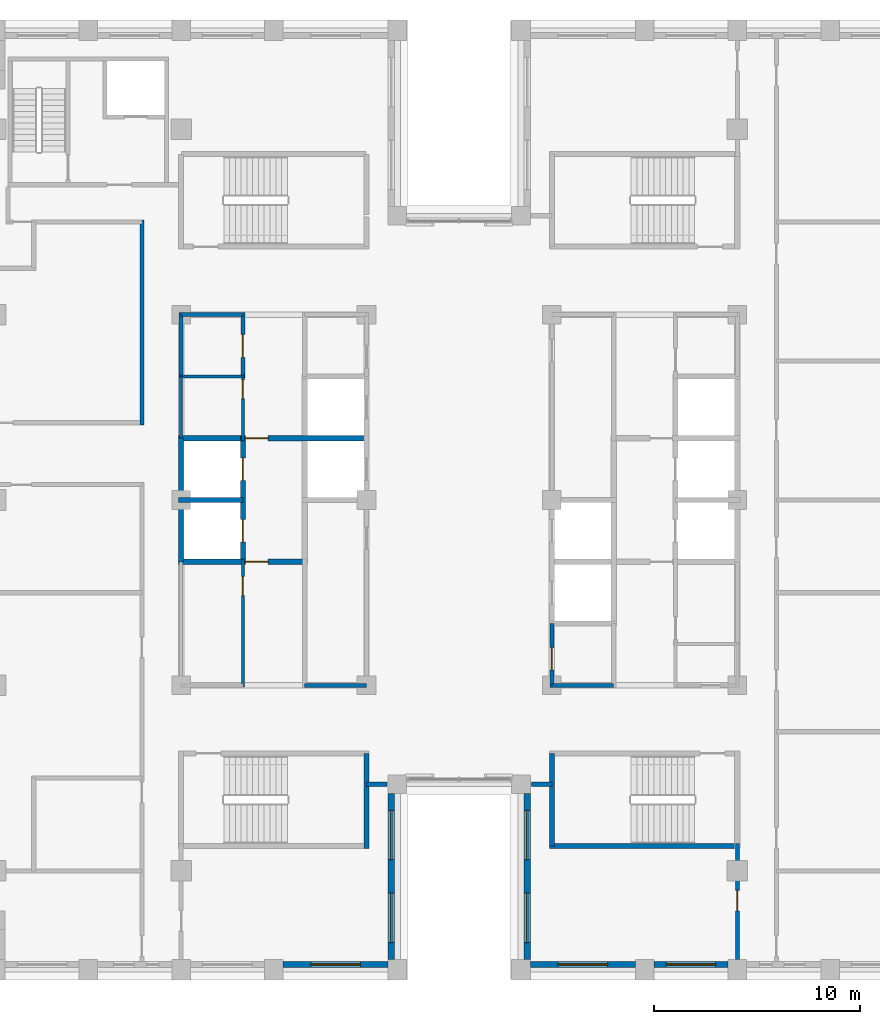
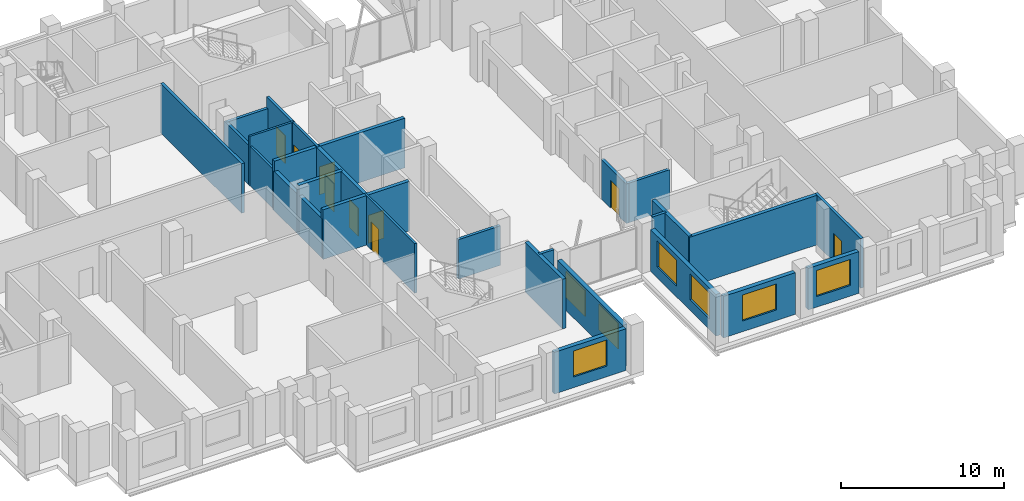
# One storey, part 7 of 15: 27 walls, 9 doors, 7 windows, 16 openings.
"""IFC4 building model written with IfcOpenShell, lengths in metres."""

from ifc_helpers import new_model, si_unit, direction, frame, frame_2d, origin, place, context, subcontext, project, spatial, rectangle, extrude, material, layer, layer_set, type_object, element, fill, save


model = new_model("IFC4")

# Units and contexts
model_context = context("Model", 3, precision=1e-05, world=origin(), true_north=direction((0.0, 1.0)))
body_context = subcontext(model_context, "Body", "Model", "MODEL_VIEW")
ifc_project = project(units=[si_unit("LENGTHUNIT", "METRE"), si_unit("AREAUNIT", "SQUARE_METRE"), si_unit("VOLUMEUNIT", "CUBIC_METRE"), si_unit("PLANEANGLEUNIT", "RADIAN"), si_unit("MASSUNIT", "GRAM", prefix="KILO")], contexts=[model_context])

# Site, building, storey
site_placement = place(None, origin())
site = spatial("IfcSite", under=ifc_project, at=site_placement, CompositionType="ELEMENT")
building_placement = place(site_placement, origin())
building = spatial("IfcBuilding", under=site, at=building_placement, Name="Corbelhall Arena Tower", CompositionType="ELEMENT")
storey_placement = place(building_placement, frame((0.0, 0.0, 228.0)))
storey = spatial("IfcBuildingStorey", under=building, at=storey_placement, Name="L48", CompositionType="ELEMENT", Elevation=228.0)

# Wall, opening, window
ifc_material_1 = material(Name="Precast concrete C40/50 with granite facing", Category="masonry")
ifc_layer_1 = layer(ifc_material_1, 0.300048828125)
ifc_layer_set_1 = layer_set([ifc_layer_1], Name="EV-IW1 Infill panel 300")
wall_type_1 = type_object("IfcWallType", Name="EV-IW1 Infill panel 300", PredefinedType="SOLIDWALL", material=ifc_layer_set_1)
wall_1_placement = place(storey_placement, frame((-8.550048828125, -22.550048828125, 0.0), z_axis=(0.0, 0.0, 1.0), x_axis=(1.0, 0.0, 0.0)))
wall_1 = element("IfcWall", 1, at=wall_1_placement, inside=storey, type_object=wall_type_1, Name="Infill panel IW1", PredefinedType="SOLIDWALL", context=body_context, shape_type="SweptSolid", body=[
    extrude(rectangle(XDim=5.10009765625, YDim=0.300048828125, at=frame_2d((2.550048828125, 0.0))), origin(), (0.0, 0.0, 1.0), 3.1201171875),
])
opening_1_placement = place(wall_1_placement, frame((1.35009765625, 0.0, 0.800048828125)))
opening_1 = element("IfcOpeningElement", 2, at=opening_1_placement, cuts=wall_1, Name="Opening WN1", PredefinedType="OPENING", context=body_context, shape_type="SweptSolid", body=[
    extrude(rectangle(XDim=2.39990234375, YDim=1.949951171875, at=frame_2d((1.199951171875, 0.97509765625))), frame((0.0, 0.14990234375, 0.0), z_axis=(0.0, -1.0, 0.0), x_axis=(1.0, 0.0, 0.0)), (0.0, 0.0, 1.0), 0.300048828125),
])
ifc_material_2 = material(Name="Aluminium black anodised", Category="aluminium")
window_type = type_object("IfcWindowType", Name="EV-WN1 Office window", PartitioningType="SINGLE_PANEL", PredefinedType="WINDOW", material=ifc_material_2)
window_1_placement = place(opening_1_placement, origin())
window_1 = element("IfcWindow", 3, at=window_1_placement, inside=storey, type_object=window_type, Name="Window WN1", OverallHeight=1.949951171875, OverallWidth=2.39990234375, PartitioningType="SINGLE_PANEL", PredefinedType="WINDOW", context=body_context, shape_type="SweptSolid", body=[
    extrude(rectangle(XDim=2.39990234375, YDim=1.949951171875, at=frame_2d((1.199951171875, 0.97509765625))), frame((0.0, 0.030029296875, 0.0), z_axis=(0.0, -1.0, 0.0), x_axis=(1.0, 0.0, 0.0)), (0.0, 0.0, 1.0), 0.06005859375),
])
fill(opening_1, window_1)

# Wall, openings, windows
wall_2_placement = place(storey_placement, frame((-3.300048828125, -22.300048828125, 0.0), z_axis=(0.0, 0.0, 1.0), x_axis=(0.0, 1.0, 0.0)))
wall_2 = element("IfcWall", 4, at=wall_2_placement, inside=storey, type_object=wall_type_1, Name="Infill panel IW1", PredefinedType="SOLIDWALL", context=body_context, shape_type="SweptSolid", body=[
    extrude(rectangle(XDim=8.050048828125, YDim=0.300048828125, at=frame_2d((4.02490234375, 0.0))), origin(), (0.0, 0.0, 1.0), 3.1201171875),
])
opening_2_placement = place(wall_2_placement, frame((0.8125, 0.0, 0.800048828125)))
opening_2 = element("IfcOpeningElement", 5, at=opening_2_placement, cuts=wall_2, Name="Opening WN1", PredefinedType="OPENING", context=body_context, shape_type="SweptSolid", body=[
    extrude(rectangle(XDim=2.39990234375, YDim=1.949951171875, at=frame_2d((1.199951171875, 0.97509765625))), frame((0.0, 0.14990234375, 0.0), z_axis=(0.0, -1.0, 0.0), x_axis=(1.0, 0.0, 0.0)), (0.0, 0.0, 1.0), 0.300048828125),
])
opening_3_placement = place(wall_2_placement, frame((4.83740234375, 0.0, 0.800048828125)))
opening_3 = element("IfcOpeningElement", 6, at=opening_3_placement, cuts=wall_2, Name="Opening WN1", PredefinedType="OPENING", context=body_context, shape_type="SweptSolid", body=[
    extrude(rectangle(XDim=2.39990234375, YDim=1.949951171875, at=frame_2d((1.199951171875, 0.97509765625))), frame((0.0, 0.14990234375, 0.0), z_axis=(0.0, -1.0, 0.0), x_axis=(1.0, 0.0, 0.0)), (0.0, 0.0, 1.0), 0.300048828125),
])
window_2_placement = place(opening_2_placement, origin())
window_2 = element("IfcWindow", 7, at=window_2_placement, inside=storey, type_object=window_type, Name="Window WN1", OverallHeight=1.949951171875, OverallWidth=2.39990234375, PartitioningType="SINGLE_PANEL", PredefinedType="WINDOW", context=body_context, shape_type="SweptSolid", body=[
    extrude(rectangle(XDim=2.39990234375, YDim=1.949951171875, at=frame_2d((1.199951171875, 0.97509765625))), frame((0.0, 0.030029296875, 0.0), z_axis=(0.0, -1.0, 0.0), x_axis=(1.0, 0.0, 0.0)), (0.0, 0.0, 1.0), 0.06005859375),
])
fill(opening_2, window_2)
window_3_placement = place(opening_3_placement, origin())
window_3 = element("IfcWindow", 8, at=window_3_placement, inside=storey, type_object=window_type, Name="Window WN1", OverallHeight=1.949951171875, OverallWidth=2.39990234375, PartitioningType="SINGLE_PANEL", PredefinedType="WINDOW", context=body_context, shape_type="SweptSolid", body=[
    extrude(rectangle(XDim=2.39990234375, YDim=1.949951171875, at=frame_2d((1.199951171875, 0.97509765625))), frame((0.0, 0.030029296875, 0.0), z_axis=(0.0, -1.0, 0.0), x_axis=(1.0, 0.0, 0.0)), (0.0, 0.0, 1.0), 0.06005859375),
])
fill(opening_3, window_3)

wall_3_placement = place(storey_placement, frame((3.300048828125, -14.25, 0.0), z_axis=(0.0, 0.0, 1.0), x_axis=(0.0, -1.0, 0.0)))
wall_3 = element("IfcWall", 9, at=wall_3_placement, inside=storey, type_object=wall_type_1, Name="Infill panel IW1", PredefinedType="SOLIDWALL", context=body_context, shape_type="SweptSolid", body=[
    extrude(rectangle(XDim=8.050048828125, YDim=0.300048828125, at=frame_2d((4.02490234375, 0.0))), origin(), (0.0, 0.0, 1.0), 3.1201171875),
])
opening_4_placement = place(wall_3_placement, frame((0.8125, 0.0, 0.800048828125)))
opening_4 = element("IfcOpeningElement", 10, at=opening_4_placement, cuts=wall_3, Name="Opening WN1", PredefinedType="OPENING", context=body_context, shape_type="SweptSolid", body=[
    extrude(rectangle(XDim=2.39990234375, YDim=1.949951171875, at=frame_2d((1.199951171875, 0.97509765625))), frame((0.0, 0.14990234375, 0.0), z_axis=(0.0, -1.0, 0.0), x_axis=(1.0, 0.0, 0.0)), (0.0, 0.0, 1.0), 0.300048828125),
])
opening_5_placement = place(wall_3_placement, frame((4.83740234375, 0.0, 0.800048828125)))
opening_5 = element("IfcOpeningElement", 11, at=opening_5_placement, cuts=wall_3, Name="Opening WN1", PredefinedType="OPENING", context=body_context, shape_type="SweptSolid", body=[
    extrude(rectangle(XDim=2.39990234375, YDim=1.949951171875, at=frame_2d((1.199951171875, 0.97509765625))), frame((0.0, 0.14990234375, 0.0), z_axis=(0.0, -1.0, 0.0), x_axis=(1.0, 0.0, 0.0)), (0.0, 0.0, 1.0), 0.300048828125),
])
window_4_placement = place(opening_4_placement, origin())
window_4 = element("IfcWindow", 12, at=window_4_placement, inside=storey, type_object=window_type, Name="Window WN1", OverallHeight=1.949951171875, OverallWidth=2.39990234375, PartitioningType="SINGLE_PANEL", PredefinedType="WINDOW", context=body_context, shape_type="SweptSolid", body=[
    extrude(rectangle(XDim=2.39990234375, YDim=1.949951171875, at=frame_2d((1.199951171875, 0.97509765625))), frame((0.0, 0.030029296875, 0.0), z_axis=(0.0, -1.0, 0.0), x_axis=(1.0, 0.0, 0.0)), (0.0, 0.0, 1.0), 0.06005859375),
])
fill(opening_4, window_4)
window_5_placement = place(opening_5_placement, origin())
window_5 = element("IfcWindow", 13, at=window_5_placement, inside=storey, type_object=window_type, Name="Window WN1", OverallHeight=1.949951171875, OverallWidth=2.39990234375, PartitioningType="SINGLE_PANEL", PredefinedType="WINDOW", context=body_context, shape_type="SweptSolid", body=[
    extrude(rectangle(XDim=2.39990234375, YDim=1.949951171875, at=frame_2d((1.199951171875, 0.97509765625))), frame((0.0, 0.030029296875, 0.0), z_axis=(0.0, -1.0, 0.0), x_axis=(1.0, 0.0, 0.0)), (0.0, 0.0, 1.0), 0.06005859375),
])
fill(opening_5, window_5)

# Wall, opening, window
wall_4_placement = place(storey_placement, frame((3.449951171875, -22.550048828125, 0.0), z_axis=(0.0, 0.0, 1.0), x_axis=(1.0, 0.0, 0.0)))
wall_4 = element("IfcWall", 14, at=wall_4_placement, inside=storey, type_object=wall_type_1, Name="Infill panel IW1", PredefinedType="SOLIDWALL", context=body_context, shape_type="SweptSolid", body=[
    extrude(rectangle(XDim=5.10009765625, YDim=0.300048828125, at=frame_2d((2.550048828125, 0.0))), origin(), (0.0, 0.0, 1.0), 3.1201171875),
])
opening_6_placement = place(wall_4_placement, frame((1.35009765625, 0.0, 0.800048828125)))
opening_6 = element("IfcOpeningElement", 15, at=opening_6_placement, cuts=wall_4, Name="Opening WN1", PredefinedType="OPENING", context=body_context, shape_type="SweptSolid", body=[
    extrude(rectangle(XDim=2.39990234375, YDim=1.949951171875, at=frame_2d((1.199951171875, 0.97509765625))), frame((0.0, 0.14990234375, 0.0), z_axis=(0.0, -1.0, 0.0), x_axis=(1.0, 0.0, 0.0)), (0.0, 0.0, 1.0), 0.300048828125),
])
window_6_placement = place(opening_6_placement, origin())
window_6 = element("IfcWindow", 16, at=window_6_placement, inside=storey, type_object=window_type, Name="Window WN1", OverallHeight=1.949951171875, OverallWidth=2.39990234375, PartitioningType="SINGLE_PANEL", PredefinedType="WINDOW", context=body_context, shape_type="SweptSolid", body=[
    extrude(rectangle(XDim=2.39990234375, YDim=1.949951171875, at=frame_2d((1.199951171875, 0.97509765625))), frame((0.0, 0.030029296875, 0.0), z_axis=(0.0, -1.0, 0.0), x_axis=(1.0, 0.0, 0.0)), (0.0, 0.0, 1.0), 0.06005859375),
])
fill(opening_6, window_6)

wall_5_placement = place(storey_placement, frame((9.449951171875, -22.550048828125, 0.0), z_axis=(0.0, 0.0, 1.0), x_axis=(1.0, 0.0, 0.0)))
wall_5 = element("IfcWall", 17, at=wall_5_placement, inside=storey, type_object=wall_type_1, Name="Infill panel IW1", PredefinedType="SOLIDWALL", context=body_context, shape_type="SweptSolid", body=[
    extrude(rectangle(XDim=3.60009765625, YDim=0.300048828125, at=frame_2d((1.800048828125, 0.0))), origin(), (0.0, 0.0, 1.0), 3.1201171875),
])
opening_7_placement = place(wall_5_placement, frame((0.60009765625, 0.0, 0.800048828125)))
opening_7 = element("IfcOpeningElement", 18, at=opening_7_placement, cuts=wall_5, Name="Opening WN1", PredefinedType="OPENING", context=body_context, shape_type="SweptSolid", body=[
    extrude(rectangle(XDim=2.39990234375, YDim=1.949951171875, at=frame_2d((1.199951171875, 0.97509765625))), frame((0.0, 0.14990234375, 0.0), z_axis=(0.0, -1.0, 0.0), x_axis=(1.0, 0.0, 0.0)), (0.0, 0.0, 1.0), 0.300048828125),
])
window_7_placement = place(opening_7_placement, origin())
window_7 = element("IfcWindow", 19, at=window_7_placement, inside=storey, type_object=window_type, Name="Window WN1", OverallHeight=1.949951171875, OverallWidth=2.39990234375, PartitioningType="SINGLE_PANEL", PredefinedType="WINDOW", context=body_context, shape_type="SweptSolid", body=[
    extrude(rectangle(XDim=2.39990234375, YDim=1.949951171875, at=frame_2d((1.199951171875, 0.97509765625))), frame((0.0, 0.030029296875, 0.0), z_axis=(0.0, -1.0, 0.0), x_axis=(1.0, 0.0, 0.0)), (0.0, 0.0, 1.0), 0.06005859375),
])
fill(opening_7, window_7)

# Walls
ifc_material_3 = material(Name="Gypsum board on steel stud, acoustic", Category="steel")
ifc_layer_2 = layer(ifc_material_3, 0.199951171875)
ifc_layer_set_2 = layer_set([ifc_layer_2], Name="IN-W-DM200")
wall_type_2 = type_object("IfcWallType", Name="IN-W-DM200", PredefinedType="PARTITIONING", material=ifc_layer_set_2)
wall_6_placement = place(storey_placement, frame((-15.39990234375, 3.64990234375, 0.0), z_axis=(0.0, 0.0, 1.0), x_axis=(0.0, 1.0, 0.0)))
element("IfcWall", 20, at=wall_6_placement, inside=storey, type_object=wall_type_2, Name="Partition 019", PredefinedType="PARTITIONING", context=body_context, shape_type="SweptSolid", body=[
    extrude(rectangle(XDim=9.9501953125, YDim=0.199951171875, at=frame_2d((4.97509765625, 0.0))), origin(), (0.0, 0.0, 1.0), 3.719970703125),
])
for number, where, z_axis, x_axis, name in (
    (21, (-3.5, -13.800048828125, 0.0), (0.0, 0.0, 1.0), (-1.0, 0.0, 0.0), "Partition 021"),
    (22, (4.5, -13.800048828125, 0.0), (0.0, 0.0, 1.0), (-1.0, 0.0, 0.0), "Partition 023"),
):
    element("IfcWall", number, at=place(storey_placement, frame(where, z_axis=z_axis, x_axis=x_axis)), inside=storey, type_object=wall_type_2, Name=name, PredefinedType="PARTITIONING", context=body_context, shape_type="SweptSolid", body=[
        extrude(rectangle(XDim=1.0, YDim=0.199951171875, at=frame_2d((0.5, 0.0))), origin(), (0.0, 0.0, 1.0), 3.719970703125),
    ])

# Wall, opening, door
wall_7_placement = place(storey_placement, frame((13.5, -22.300048828125, 0.0), z_axis=(0.0, 0.0, 1.0), x_axis=(0.0, 1.0, 0.0)))
wall_7 = element("IfcWall", 23, at=wall_7_placement, inside=storey, type_object=wall_type_2, Name="Partition 024", PredefinedType="PARTITIONING", context=body_context, shape_type="SweptSolid", body=[
    extrude(rectangle(XDim=5.625, YDim=0.199951171875, at=frame_2d((2.8125, 0.0))), origin(), (0.0, 0.0, 1.0), 3.719970703125),
])
opening_8_placement = place(wall_7_placement, frame((2.35009765625, 0.0, 0.0)))
opening_8 = element("IfcOpeningElement", 24, at=opening_8_placement, cuts=wall_7, Name="Opening 15023", PredefinedType="OPENING", context=body_context, shape_type="SweptSolid", body=[
    extrude(rectangle(XDim=1.0, YDim=2.10009765625, at=frame_2d((0.5, 1.050048828125))), frame((0.0, 0.10009765625, 0.0), z_axis=(0.0, -1.0, 0.0), x_axis=(1.0, 0.0, 0.0)), (0.0, 0.0, 1.0), 0.199951171875),
])
ifc_material_4 = material(Name="Steel door set", Category="steel")
door_type_1 = type_object("IfcDoorType", Name="IN-D-SW100", OperationType="NOTDEFINED", PredefinedType="DOOR", material=ifc_material_4)
door_1_placement = place(opening_8_placement, origin())
door_1 = element("IfcDoor", 25, at=door_1_placement, inside=storey, type_object=door_type_1, Name="Door 023", OperationType="SINGLE_SWING_RIGHT", OverallHeight=2.10009765625, OverallWidth=1.0, PredefinedType="DOOR", context=body_context, shape_type="SweptSolid", body=[
    extrude(rectangle(XDim=1.0, YDim=2.10009765625, at=frame_2d((0.5, 1.050048828125))), frame((0.0, 0.02490234375, 0.0), z_axis=(0.0, -1.0, 0.0), x_axis=(1.0, 0.0, 0.0)), (0.0, 0.0, 1.0), 0.050048828125),
])
fill(opening_8, door_1)

ifc_material_5 = material(Name="Concrete block wall", Category="concrete")
ifc_layer_3 = layer(ifc_material_5, 0.199951171875)
ifc_layer_set_3 = layer_set([ifc_layer_3], Name="IN-W-RS200")
wall_type_3 = type_object("IfcWallType", Name="IN-W-RS200", PredefinedType="SOLIDWALL", material=ifc_layer_set_3)
wall_8_placement = place(storey_placement, frame((-10.5, 5.925048828125, 0.0), z_axis=(0.0, 0.0, 1.0), x_axis=(0.0, 1.0, 0.0)))
wall_8 = element("IfcWall", 26, at=wall_8_placement, inside=storey, type_object=wall_type_3, Name="Partition 036", PredefinedType="SOLIDWALL", context=body_context, shape_type="SweptSolid", body=[
    extrude(rectangle(XDim=3.175048828125, YDim=0.199951171875, at=frame_2d((1.58740234375, 0.0))), origin(), (0.0, 0.0, 1.0), 3.719970703125),
])
opening_9_placement = place(wall_8_placement, frame((1.0, 0.0, 0.0)))
opening_9 = element("IfcOpeningElement", 27, at=opening_9_placement, cuts=wall_8, Name="Opening 15007", PredefinedType="OPENING", context=body_context, shape_type="SweptSolid", body=[
    extrude(rectangle(XDim=1.10009765625, YDim=2.10009765625, at=frame_2d((0.550048828125, 1.050048828125))), frame((0.0, 0.10009765625, 0.0), z_axis=(0.0, -1.0, 0.0), x_axis=(1.0, 0.0, 0.0)), (0.0, 0.0, 1.0), 0.199951171875),
])
door_type_2 = type_object("IfcDoorType", Name="IN-D-FD110", OperationType="NOTDEFINED", PredefinedType="DOOR", material=ifc_material_4)
door_2_placement = place(opening_9_placement, origin())
door_2 = element("IfcDoor", 28, at=door_2_placement, inside=storey, type_object=door_type_2, Name="Door 007", OperationType="SINGLE_SWING_RIGHT", OverallHeight=2.10009765625, OverallWidth=1.10009765625, PredefinedType="DOOR", context=body_context, shape_type="SweptSolid", body=[
    extrude(rectangle(XDim=1.10009765625, YDim=2.10009765625, at=frame_2d((0.550048828125, 1.050048828125))), frame((0.0, 0.02490234375, 0.0), z_axis=(0.0, -1.0, 0.0), x_axis=(1.0, 0.0, 0.0)), (0.0, 0.0, 1.0), 0.050048828125),
])
fill(opening_9, door_2)

# Walls
ifc_layer_4 = layer(ifc_material_5, 0.199951171875)
ifc_layer_set_4 = layer_set([ifc_layer_4], Name="IN-W-RS200 under beam 762 mm")
wall_type_4 = type_object("IfcWallType", Name="IN-W-RS200 under beam 762 mm", PredefinedType="SOLIDWALL", material=ifc_layer_set_4)
wall_9_placement = place(storey_placement, frame((-13.5, 6.0, 0.0), z_axis=(0.0, 0.0, 1.0), x_axis=(0.0, 1.0, 0.0)))
element("IfcWall", 29, at=wall_9_placement, inside=storey, type_object=wall_type_4, Name="Partition 034", PredefinedType="SOLIDWALL", context=body_context, shape_type="SweptSolid", body=[
    extrude(rectangle(XDim=3.10009765625, YDim=0.199951171875, at=frame_2d((1.550048828125, 0.0))), origin(), (0.0, 0.0, 1.0), 2.9580078125),
])
for number, where, z_axis, x_axis, name in (
    (30, (-13.5, 9.0, 0.0), (0.0, 0.0, 1.0), (1.0, 0.0, 0.0), "Partition 035"),
    (31, (-4.5, -9.0, 0.0), (0.0, 0.0, 1.0), (-1.0, 0.0, 0.0), "Partition 040"),
):
    element("IfcWall", number, at=place(storey_placement, frame(where, z_axis=z_axis, x_axis=x_axis)), inside=storey, type_object=wall_type_4, Name=name, PredefinedType="SOLIDWALL", context=body_context, shape_type="SweptSolid", body=[
        extrude(rectangle(XDim=3.0, YDim=0.199951171875, at=frame_2d((1.5, 0.0))), origin(), (0.0, 0.0, 1.0), 2.9580078125),
    ])

# Wall, opening, door
wall_10_placement = place(storey_placement, frame((4.5, -9.10009765625, 0.0), z_axis=(0.0, 0.0, 1.0), x_axis=(0.0, 1.0, 0.0)))
wall_10 = element("IfcWall", 32, at=wall_10_placement, inside=storey, type_object=wall_type_4, Name="Partition 043", PredefinedType="SOLIDWALL", context=body_context, shape_type="SweptSolid", body=[
    extrude(rectangle(XDim=3.10009765625, YDim=0.199951171875, at=frame_2d((1.550048828125, 0.0))), origin(), (0.0, 0.0, 1.0), 2.9580078125),
])
opening_10_placement = place(wall_10_placement, frame((0.85009765625, 0.0, 0.0)))
opening_10 = element("IfcOpeningElement", 33, at=opening_10_placement, cuts=wall_10, Name="Opening 15008", PredefinedType="OPENING", context=body_context, shape_type="SweptSolid", body=[
    extrude(rectangle(XDim=1.10009765625, YDim=2.10009765625, at=frame_2d((0.550048828125, 1.050048828125))), frame((0.0, 0.10009765625, 0.0), z_axis=(0.0, -1.0, 0.0), x_axis=(1.0, 0.0, 0.0)), (0.0, 0.0, 1.0), 0.199951171875),
])
door_3_placement = place(opening_10_placement, origin())
door_3 = element("IfcDoor", 34, at=door_3_placement, inside=storey, type_object=door_type_2, Name="Door 008", OperationType="SINGLE_SWING_LEFT", OverallHeight=2.10009765625, OverallWidth=1.10009765625, PredefinedType="DOOR", context=body_context, shape_type="SweptSolid", body=[
    extrude(rectangle(XDim=1.10009765625, YDim=2.10009765625, at=frame_2d((0.550048828125, 1.050048828125))), frame((0.0, 0.02490234375, 0.0), z_axis=(0.0, -1.0, 0.0), x_axis=(1.0, 0.0, 0.0)), (0.0, 0.0, 1.0), 0.050048828125),
])
fill(opening_10, door_3)

# Walls
wall_11_placement = place(storey_placement, frame((7.5, -9.0, 0.0), z_axis=(0.0, 0.0, 1.0), x_axis=(-1.0, 0.0, 0.0)))
element("IfcWall", 35, at=wall_11_placement, inside=storey, type_object=wall_type_4, Name="Partition 046", PredefinedType="SOLIDWALL", context=body_context, shape_type="SweptSolid", body=[
    extrude(rectangle(XDim=3.0, YDim=0.199951171875, at=frame_2d((1.5, 0.0))), origin(), (0.0, 0.0, 1.0), 2.9580078125),
])
ifc_material_6 = material(Name="Concrete C40/50", Category="concrete")
ifc_layer_5 = layer(ifc_material_6, 0.25)
ifc_layer_set_5 = layer_set([ifc_layer_5], Name="IN-W-SH250")
wall_type_5 = type_object("IfcWallType", Name="IN-W-SH250", PredefinedType="SOLIDWALL", material=ifc_layer_set_5)
wall_12_placement = place(storey_placement, frame((-13.625, 0.0, 0.0), z_axis=(0.0, 0.0, 1.0), x_axis=(1.0, 0.0, 0.0)))
element("IfcWall", 36, at=wall_12_placement, inside=storey, type_object=wall_type_5, Name="Shaft wall 054", PredefinedType="SOLIDWALL", context=body_context, shape_type="SweptSolid", body=[
    extrude(rectangle(XDim=3.125, YDim=0.25, at=frame_2d((1.5625, 0.0))), origin(), (0.0, 0.0, 1.0), 3.719970703125),
])

# Wall, opening, door
wall_13_placement = place(storey_placement, frame((-13.625, 3.0, 0.0), z_axis=(0.0, 0.0, 1.0), x_axis=(1.0, 0.0, 0.0)))
wall_13 = element("IfcWall", 37, at=wall_13_placement, inside=storey, type_object=wall_type_5, Name="Shaft wall 055", PredefinedType="SOLIDWALL", context=body_context, shape_type="SweptSolid", body=[
    extrude(rectangle(XDim=9.25, YDim=0.25, at=frame_2d((4.625, 0.0))), origin(), (0.0, 0.0, 1.0), 3.719970703125),
])
opening_11_placement = place(wall_13_placement, frame((3.25, 0.0, 0.0)))
opening_11 = element("IfcOpeningElement", 38, at=opening_11_placement, cuts=wall_13, Name="Opening 15004", PredefinedType="OPENING", context=body_context, shape_type="SweptSolid", body=[
    extrude(rectangle(XDim=1.10009765625, YDim=2.10009765625, at=frame_2d((0.550048828125, 1.050048828125))), frame((0.0, 0.125, 0.0), z_axis=(0.0, -1.0, 0.0), x_axis=(1.0, 0.0, 0.0)), (0.0, 0.0, 1.0), 0.25),
])
door_4_placement = place(opening_11_placement, origin())
door_4 = element("IfcDoor", 39, at=door_4_placement, inside=storey, type_object=door_type_2, Name="Door 004", OperationType="SINGLE_SWING_LEFT", OverallHeight=2.10009765625, OverallWidth=1.10009765625, PredefinedType="DOOR", context=body_context, shape_type="SweptSolid", body=[
    extrude(rectangle(XDim=1.10009765625, YDim=2.10009765625, at=frame_2d((0.550048828125, 1.050048828125))), frame((0.0, 0.02490234375, 0.0), z_axis=(0.0, -1.0, 0.0), x_axis=(1.0, 0.0, 0.0)), (0.0, 0.0, 1.0), 0.050048828125),
])
fill(opening_11, door_4)

wall_14_placement = place(storey_placement, frame((-13.625, -3.0, 0.0), z_axis=(0.0, 0.0, 1.0), x_axis=(1.0, 0.0, 0.0)))
wall_14 = element("IfcWall", 40, at=wall_14_placement, inside=storey, type_object=wall_type_5, Name="Shaft wall 057", PredefinedType="SOLIDWALL", context=body_context, shape_type="SweptSolid", body=[
    extrude(rectangle(XDim=6.125, YDim=0.25, at=frame_2d((3.0625, 0.0))), origin(), (0.0, 0.0, 1.0), 3.719970703125),
])
opening_12_placement = place(wall_14_placement, frame((3.25, 0.0, 0.0)))
opening_12 = element("IfcOpeningElement", 41, at=opening_12_placement, cuts=wall_14, Name="Opening 15003", PredefinedType="OPENING", context=body_context, shape_type="SweptSolid", body=[
    extrude(rectangle(XDim=1.10009765625, YDim=2.10009765625, at=frame_2d((0.550048828125, 1.050048828125))), frame((0.0, 0.125, 0.0), z_axis=(0.0, -1.0, 0.0), x_axis=(1.0, 0.0, 0.0)), (0.0, 0.0, 1.0), 0.25),
])
door_5_placement = place(opening_12_placement, origin())
door_5 = element("IfcDoor", 42, at=door_5_placement, inside=storey, type_object=door_type_2, Name="Door 003", OperationType="SINGLE_SWING_RIGHT", OverallHeight=2.10009765625, OverallWidth=1.10009765625, PredefinedType="DOOR", context=body_context, shape_type="SweptSolid", body=[
    extrude(rectangle(XDim=1.10009765625, YDim=2.10009765625, at=frame_2d((0.550048828125, 1.050048828125))), frame((0.0, 0.02490234375, 0.0), z_axis=(0.0, -1.0, 0.0), x_axis=(1.0, 0.0, 0.0)), (0.0, 0.0, 1.0), 0.050048828125),
])
fill(opening_12, door_5)

# Wall, openings, doors
wall_15_placement = place(storey_placement, frame((-10.5, -3.125, 0.0), z_axis=(0.0, 0.0, 1.0), x_axis=(0.0, 1.0, 0.0)))
wall_15 = element("IfcWall", 43, at=wall_15_placement, inside=storey, type_object=wall_type_5, Name="Shaft wall 058", PredefinedType="SOLIDWALL", context=body_context, shape_type="SweptSolid", body=[
    extrude(rectangle(XDim=6.25, YDim=0.25, at=frame_2d((3.125, 0.0))), origin(), (0.0, 0.0, 1.0), 3.719970703125),
])
opening_13_placement = place(wall_15_placement, frame((1.074951171875, 0.0, 0.0)))
opening_13 = element("IfcOpeningElement", 44, at=opening_13_placement, cuts=wall_15, Name="Opening LD", PredefinedType="OPENING", context=body_context, shape_type="SweptSolid", body=[
    extrude(rectangle(XDim=1.10009765625, YDim=2.10009765625, at=frame_2d((0.550048828125, 1.050048828125))), frame((0.0, 0.125, 0.0), z_axis=(0.0, -1.0, 0.0), x_axis=(1.0, 0.0, 0.0)), (0.0, 0.0, 1.0), 0.25),
])
opening_14_placement = place(wall_15_placement, frame((4.074951171875, 0.0, 0.0)))
opening_14 = element("IfcOpeningElement", 45, at=opening_14_placement, cuts=wall_15, Name="Opening LD", PredefinedType="OPENING", context=body_context, shape_type="SweptSolid", body=[
    extrude(rectangle(XDim=1.10009765625, YDim=2.10009765625, at=frame_2d((0.550048828125, 1.050048828125))), frame((0.0, 0.125, 0.0), z_axis=(0.0, -1.0, 0.0), x_axis=(1.0, 0.0, 0.0)), (0.0, 0.0, 1.0), 0.25),
])
door_type_3 = type_object("IfcDoorType", Name="IN-D-LD110", OperationType="NOTDEFINED", PredefinedType="DOOR", material=ifc_material_4)
door_6_placement = place(opening_13_placement, origin())
door_6 = element("IfcDoor", 46, at=door_6_placement, inside=storey, type_object=door_type_3, Name="Landing door W3", OperationType="SLIDING_TO_LEFT", OverallHeight=2.10009765625, OverallWidth=1.10009765625, PredefinedType="DOOR", context=body_context, shape_type="SweptSolid", body=[
    extrude(rectangle(XDim=1.10009765625, YDim=2.10009765625, at=frame_2d((0.550048828125, 1.050048828125))), frame((0.0, 0.02490234375, 0.0), z_axis=(0.0, -1.0, 0.0), x_axis=(1.0, 0.0, 0.0)), (0.0, 0.0, 1.0), 0.050048828125),
])
fill(opening_13, door_6)
door_7_placement = place(opening_14_placement, origin())
door_7 = element("IfcDoor", 47, at=door_7_placement, inside=storey, type_object=door_type_3, Name="Landing door W4", OperationType="SLIDING_TO_LEFT", OverallHeight=2.10009765625, OverallWidth=1.10009765625, PredefinedType="DOOR", context=body_context, shape_type="SweptSolid", body=[
    extrude(rectangle(XDim=1.10009765625, YDim=2.10009765625, at=frame_2d((0.550048828125, 1.050048828125))), frame((0.0, 0.02490234375, 0.0), z_axis=(0.0, -1.0, 0.0), x_axis=(1.0, 0.0, 0.0)), (0.0, 0.0, 1.0), 0.050048828125),
])
fill(opening_14, door_7)

# Walls
ifc_layer_6 = layer(ifc_material_6, 0.25)
ifc_layer_set_6 = layer_set([ifc_layer_6], Name="IN-W-SH250 under beam 762 mm")
wall_type_6 = type_object("IfcWallType", Name="IN-W-SH250 under beam 762 mm", PredefinedType="SOLIDWALL", material=ifc_layer_set_6)
wall_16_placement = place(storey_placement, frame((-13.5, -3.0, 0.0), z_axis=(0.0, 0.0, 1.0), x_axis=(0.0, 1.0, 0.0)))
element("IfcWall", 48, at=wall_16_placement, inside=storey, type_object=wall_type_6, Name="Shaft wall 056", PredefinedType="SOLIDWALL", context=body_context, shape_type="SweptSolid", body=[
    extrude(rectangle(XDim=6.0, YDim=0.25, at=frame_2d((3.0, 0.0))), origin(), (0.0, 0.0, 1.0), 2.9580078125),
])
ifc_layer_7 = layer(ifc_material_6, 0.25)
ifc_layer_set_7 = layer_set([ifc_layer_7], Name="IN-W-ST250")
wall_type_7 = type_object("IfcWallType", Name="IN-W-ST250", PredefinedType="SOLIDWALL", material=ifc_layer_set_7)
wall_17_placement = place(storey_placement, frame((-4.5, -12.300048828125, 0.0), z_axis=(0.0, 0.0, 1.0), x_axis=(0.0, -1.0, 0.0)))
element("IfcWall", 49, at=wall_17_placement, inside=storey, type_object=wall_type_7, Name="Shaft wall 084", PredefinedType="SOLIDWALL", context=body_context, shape_type="SweptSolid", body=[
    extrude(rectangle(XDim=4.625, YDim=0.25, at=frame_2d((2.3125, 0.0))), origin(), (0.0, 0.0, 1.0), 3.719970703125),
])
wall_18_placement = place(storey_placement, frame((4.5, -16.800048828125, 0.0), z_axis=(0.0, 0.0, 1.0), x_axis=(0.0, 1.0, 0.0)))
element("IfcWall", 50, at=wall_18_placement, inside=storey, type_object=wall_type_7, Name="Shaft wall 090", PredefinedType="SOLIDWALL", context=body_context, shape_type="SweptSolid", body=[
    extrude(rectangle(XDim=4.5, YDim=0.25, at=frame_2d((2.25, 0.0))), origin(), (0.0, 0.0, 1.0), 3.719970703125),
])
wall_19_placement = place(storey_placement, frame((13.5, -16.800048828125, 0.0), z_axis=(0.0, 0.0, 1.0), x_axis=(-1.0, 0.0, 0.0)))
element("IfcWall", 51, at=wall_19_placement, inside=storey, type_object=wall_type_7, Name="Shaft wall 093", PredefinedType="SOLIDWALL", context=body_context, shape_type="SweptSolid", body=[
    extrude(rectangle(XDim=9.125, YDim=0.25, at=frame_2d((4.5625, 0.0))), origin(), (0.0, 0.0, 1.0), 3.719970703125),
])
ifc_material_7 = material(Name="Gypsum board on steel stud, moisture resistant", Category="steel")
ifc_layer_8 = layer(ifc_material_7, 0.14990234375)
ifc_layer_set_8 = layer_set([ifc_layer_8], Name="IN-W-WC150")
wall_type_8 = type_object("IfcWallType", Name="IN-W-WC150", PredefinedType="PARTITIONING", material=ifc_layer_set_8)
wall_20_placement = place(storey_placement, frame((-13.60009765625, 6.0, 0.0), z_axis=(0.0, 0.0, 1.0), x_axis=(1.0, 0.0, 0.0)))
element("IfcWall", 52, at=wall_20_placement, inside=storey, type_object=wall_type_8, Name="Partition 096", PredefinedType="PARTITIONING", context=body_context, shape_type="SweptSolid", body=[
    extrude(rectangle(XDim=3.10009765625, YDim=0.14990234375, at=frame_2d((1.550048828125, 0.0))), origin(), (0.0, 0.0, 1.0), 3.719970703125),
])

# Wall, opening, door
wall_21_placement = place(storey_placement, frame((-10.5, -9.074951171875, 0.0), z_axis=(0.0, 0.0, 1.0), x_axis=(0.0, 1.0, 0.0)))
wall_21 = element("IfcWall", 53, at=wall_21_placement, inside=storey, type_object=wall_type_8, Name="Partition 099", PredefinedType="PARTITIONING", context=body_context, shape_type="SweptSolid", body=[
    extrude(rectangle(XDim=6.199951171875, YDim=0.14990234375, at=frame_2d((3.10009765625, 0.0))), origin(), (0.0, 0.0, 1.0), 3.719970703125),
])
opening_15_placement = place(wall_21_placement, frame((4.449951171875, 0.0, 0.0)))
opening_15 = element("IfcOpeningElement", 54, at=opening_15_placement, cuts=wall_21, Name="Opening 15005", PredefinedType="OPENING", context=body_context, shape_type="SweptSolid", body=[
    extrude(rectangle(XDim=0.89990234375, YDim=2.10009765625, at=frame_2d((0.449951171875, 1.050048828125))), frame((0.0, 0.074951171875, 0.0), z_axis=(0.0, -1.0, 0.0), x_axis=(1.0, 0.0, 0.0)), (0.0, 0.0, 1.0), 0.14990234375),
])
ifc_material_8 = material(Name="Timber door set", Category="wood")
door_type_4 = type_object("IfcDoorType", Name="IN-D-SW90", OperationType="NOTDEFINED", PredefinedType="DOOR", material=ifc_material_8)
door_8_placement = place(opening_15_placement, origin())
door_8 = element("IfcDoor", 55, at=door_8_placement, inside=storey, type_object=door_type_4, Name="Door 005", OperationType="SINGLE_SWING_RIGHT", OverallHeight=2.10009765625, OverallWidth=0.89990234375, PredefinedType="DOOR", context=body_context, shape_type="SweptSolid", body=[
    extrude(rectangle(XDim=0.89990234375, YDim=2.10009765625, at=frame_2d((0.449951171875, 1.050048828125))), frame((0.0, 0.02490234375, 0.0), z_axis=(0.0, -1.0, 0.0), x_axis=(1.0, 0.0, 0.0)), (0.0, 0.0, 1.0), 0.050048828125),
])
fill(opening_15, door_8)

wall_22_placement = place(storey_placement, frame((-10.5, 2.875, 0.0), z_axis=(0.0, 0.0, 1.0), x_axis=(0.0, 1.0, 0.0)))
wall_22 = element("IfcWall", 56, at=wall_22_placement, inside=storey, type_object=wall_type_8, Name="Partition 101", PredefinedType="PARTITIONING", context=body_context, shape_type="SweptSolid", body=[
    extrude(rectangle(XDim=3.199951171875, YDim=0.14990234375, at=frame_2d((1.60009765625, 0.0))), origin(), (0.0, 0.0, 1.0), 3.719970703125),
])
opening_16_placement = place(wall_22_placement, frame((2.050048828125, 0.0, 0.0)))
opening_16 = element("IfcOpeningElement", 57, at=opening_16_placement, cuts=wall_22, Name="Opening 15006", PredefinedType="OPENING", context=body_context, shape_type="SweptSolid", body=[
    extrude(rectangle(XDim=0.89990234375, YDim=2.10009765625, at=frame_2d((0.449951171875, 1.050048828125))), frame((0.0, 0.074951171875, 0.0), z_axis=(0.0, -1.0, 0.0), x_axis=(1.0, 0.0, 0.0)), (0.0, 0.0, 1.0), 0.14990234375),
])
door_9_placement = place(opening_16_placement, origin())
door_9 = element("IfcDoor", 58, at=door_9_placement, inside=storey, type_object=door_type_4, Name="Door 006", OperationType="SINGLE_SWING_LEFT", OverallHeight=2.10009765625, OverallWidth=0.89990234375, PredefinedType="DOOR", context=body_context, shape_type="SweptSolid", body=[
    extrude(rectangle(XDim=0.89990234375, YDim=2.10009765625, at=frame_2d((0.449951171875, 1.050048828125))), frame((0.0, 0.02490234375, 0.0), z_axis=(0.0, -1.0, 0.0), x_axis=(1.0, 0.0, 0.0)), (0.0, 0.0, 1.0), 0.050048828125),
])
fill(opening_16, door_9)

# Wall
ifc_layer_9 = layer(ifc_material_7, 0.14990234375)
ifc_layer_set_9 = layer_set([ifc_layer_9], Name="IN-W-WC150 under beam 762 mm")
wall_type_9 = type_object("IfcWallType", Name="IN-W-WC150 under beam 762 mm", PredefinedType="PARTITIONING", material=ifc_layer_set_9)
wall_23_placement = place(storey_placement, frame((-13.5, 3.0, 0.0), z_axis=(0.0, 0.0, 1.0), x_axis=(0.0, 1.0, 0.0)))
element("IfcWall", 59, at=wall_23_placement, inside=storey, type_object=wall_type_9, Name="Partition 098", PredefinedType="PARTITIONING", context=body_context, shape_type="SweptSolid", body=[
    extrude(rectangle(XDim=3.0, YDim=0.14990234375, at=frame_2d((1.5, 0.0))), origin(), (0.0, 0.0, 1.0), 2.9580078125),
])

save(model, "model.ifc")
